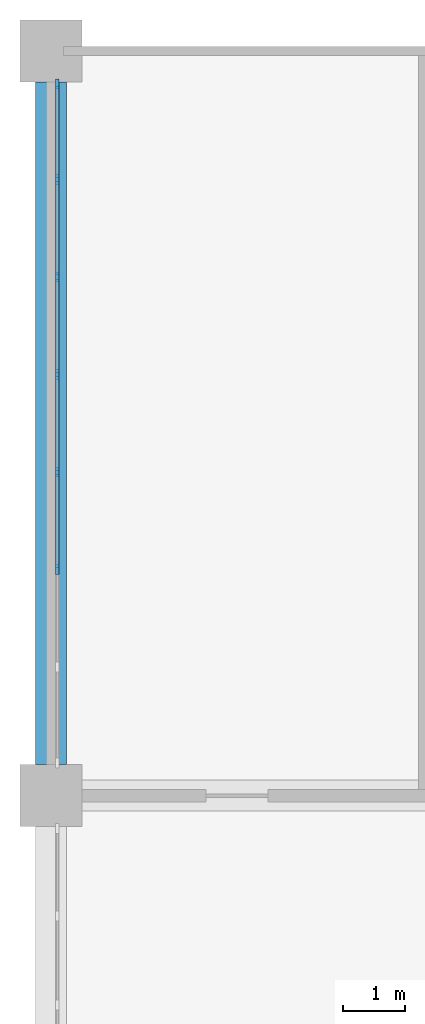
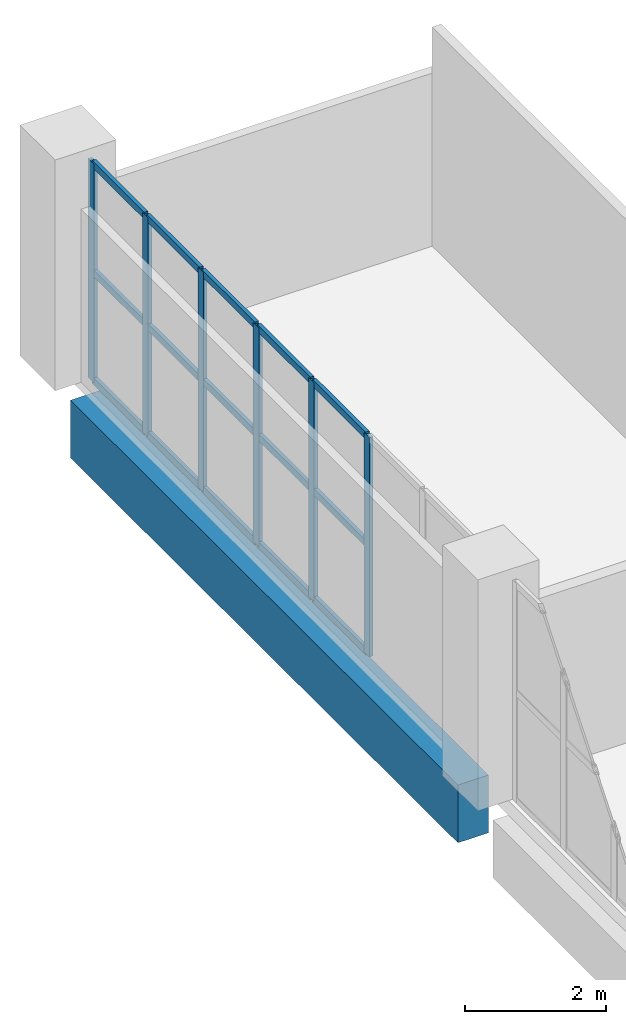
# One storey, part 130 of 156: 21 members, 1 beam, 1 element without a shape of its own.
"""IFC4 building model written with IfcOpenShell, lengths in metres."""

from ifc_helpers import new_model, si_unit, direction, frame, origin, origin_2d, place, context, subcontext, project, spatial, rectangle, extrude, material, layer, layer_set, material_profile, profile_set, type_object, element, aggregate, save


model = new_model("IFC4")

# Units and contexts
model_context = context("Model", 3, precision=1e-05, world=origin(), true_north=direction((0.0, 1.0)))
body_context = subcontext(model_context, "Body", "Model", "MODEL_VIEW")
ifc_project = project(units=[si_unit("LENGTHUNIT", "METRE"), si_unit("AREAUNIT", "SQUARE_METRE"), si_unit("VOLUMEUNIT", "CUBIC_METRE"), si_unit("PLANEANGLEUNIT", "RADIAN"), si_unit("MASSUNIT", "GRAM", prefix="KILO")], contexts=[model_context])

# Site, building, storey
site_placement = place(None, origin())
site = spatial("IfcSite", under=ifc_project, at=site_placement, CompositionType="ELEMENT")
building_placement = place(site_placement, origin())
building = spatial("IfcBuilding", under=site, at=building_placement, Name="Lilac Gate Convention Centre", CompositionType="ELEMENT")
storey_placement = place(building_placement, frame((0.0, 0.0, 17.0)))
storey = spatial("IfcBuildingStorey", under=building, at=storey_placement, Name="L03", CompositionType="ELEMENT", Elevation=17.0)

# Curtain wall, members
ifc_material_1 = material(Name="Aluminium framed double glazing", Category="aluminium")
ifc_layer = layer(ifc_material_1, 0.199951171875)
ifc_layer_set = layer_set([ifc_layer], Name="Aluminium framed double glazing")
curtain_wall_type = type_object("IfcCurtainWallType", Name="Unitised curtain wall 1500", PredefinedType="NOTDEFINED", material=ifc_layer_set)
curtain_wall_placement = place(storey_placement, origin())
curtain_wall = element("IfcCurtainWall", 1, at=curtain_wall_placement, inside=storey, type_object=curtain_wall_type, Name="Curtain wall GW L03 1", PredefinedType="NOTDEFINED")
ifc_material_2 = material(Name="Aluminium alloy 6063", Category="aluminium")
ifc_material_profile_1 = material_profile(ifc_material_2, rectangle(XDim=0.06005859375, YDim=0.159912109375, at=origin_2d()), Name="Curtain wall mullion 60 x 160")
ifc_profile_set_1 = profile_set([ifc_material_profile_1], Name="Aluminium alloy 6063")
member_type_1 = type_object("IfcMemberType", Name="Curtain wall mullion 60 x 160", PredefinedType="MULLION", material=ifc_profile_set_1)
member_1_placement = place(storey_placement, frame((6.10009765625, 245.469970703125, 0.0), z_axis=(0.0, 0.0, 1.0), x_axis=(1.0, 0.0, 0.0)))
member_1 = element("IfcMember", 2, at=member_1_placement, type_object=member_type_1, Name="CW mullion 1", PredefinedType="MULLION", context=body_context, shape_type="SweptSolid", body=[
    extrude(rectangle(XDim=0.06005859375, YDim=0.159912109375, at=origin_2d()), origin(), (0.0, 0.0, 1.0), 3.800048828125),
])
member_2_placement = place(storey_placement, frame((6.10009765625, 243.928466796875, 0.0), z_axis=(0.0, 0.0, 1.0), x_axis=(1.0, 0.0, 0.0)))
member_2 = element("IfcMember", 3, at=member_2_placement, type_object=member_type_1, Name="CW mullion 2", PredefinedType="MULLION", context=body_context, shape_type="SweptSolid", body=[
    extrude(rectangle(XDim=0.06005859375, YDim=0.159912109375, at=origin_2d()), origin(), (0.0, 0.0, 1.0), 3.800048828125),
])
member_3_placement = place(storey_placement, frame((6.10009765625, 242.357177734375, 0.0), z_axis=(0.0, 0.0, 1.0), x_axis=(1.0, 0.0, 0.0)))
member_3 = element("IfcMember", 4, at=member_3_placement, type_object=member_type_1, Name="CW mullion 3", PredefinedType="MULLION", context=body_context, shape_type="SweptSolid", body=[
    extrude(rectangle(XDim=0.06005859375, YDim=0.159912109375, at=origin_2d()), origin(), (0.0, 0.0, 1.0), 3.800048828125),
])
member_4_placement = place(storey_placement, frame((6.10009765625, 240.78564453125, 0.0), z_axis=(0.0, 0.0, 1.0), x_axis=(1.0, 0.0, 0.0)))
member_4 = element("IfcMember", 5, at=member_4_placement, type_object=member_type_1, Name="CW mullion 4", PredefinedType="MULLION", context=body_context, shape_type="SweptSolid", body=[
    extrude(rectangle(XDim=0.06005859375, YDim=0.159912109375, at=origin_2d()), origin(), (0.0, 0.0, 1.0), 3.800048828125),
])
member_5_placement = place(storey_placement, frame((6.10009765625, 239.21435546875, 0.0), z_axis=(0.0, 0.0, 1.0), x_axis=(1.0, 0.0, 0.0)))
member_5 = element("IfcMember", 6, at=member_5_placement, type_object=member_type_1, Name="CW mullion 5", PredefinedType="MULLION", context=body_context, shape_type="SweptSolid", body=[
    extrude(rectangle(XDim=0.06005859375, YDim=0.159912109375, at=origin_2d()), origin(), (0.0, 0.0, 1.0), 3.800048828125),
])
member_6_placement = place(storey_placement, frame((6.10009765625, 237.642822265625, 0.0), z_axis=(0.0, 0.0, 1.0), x_axis=(1.0, 0.0, 0.0)))
member_6 = element("IfcMember", 7, at=member_6_placement, type_object=member_type_1, Name="CW mullion 6", PredefinedType="MULLION", context=body_context, shape_type="SweptSolid", body=[
    extrude(rectangle(XDim=0.06005859375, YDim=0.159912109375, at=origin_2d()), origin(), (0.0, 0.0, 1.0), 3.800048828125),
])
ifc_material_profile_2 = material_profile(ifc_material_2, rectangle(XDim=0.06005859375, YDim=0.1201171875, at=origin_2d()), Name="Curtain wall transom 60 x 120")
ifc_profile_set_2 = profile_set([ifc_material_profile_2], Name="Aluminium alloy 6063")
member_type_2 = type_object("IfcMemberType", Name="Curtain wall transom 60 x 120", PredefinedType="USERDEFINED", material=ifc_profile_set_2)
member_7_placement = place(storey_placement, frame((6.10009765625, 245.43994140625, 0.030029296875), z_axis=(0.0, -1.0, 0.0), x_axis=(1.0, 0.0, 0.0)))
member_7 = element("IfcMember", 8, at=member_7_placement, type_object=member_type_2, Name="CW transom 1.1", ObjectType="TRANSOM", PredefinedType="USERDEFINED", context=body_context, shape_type="SweptSolid", body=[
    extrude(rectangle(XDim=0.06005859375, YDim=0.1201171875, at=origin_2d()), origin(), (0.0, 0.0, 1.0), 1.4814453125),
])
member_8_placement = place(storey_placement, frame((6.10009765625, 245.43994140625, 1.89990234375), z_axis=(0.0, -1.0, 0.0), x_axis=(1.0, 0.0, 0.0)))
member_8 = element("IfcMember", 9, at=member_8_placement, type_object=member_type_2, Name="CW transom 1.2", ObjectType="TRANSOM", PredefinedType="USERDEFINED", context=body_context, shape_type="SweptSolid", body=[
    extrude(rectangle(XDim=0.06005859375, YDim=0.1201171875, at=origin_2d()), origin(), (0.0, 0.0, 1.0), 1.4814453125),
])
member_9_placement = place(storey_placement, frame((6.10009765625, 245.43994140625, 3.77001953125), z_axis=(0.0, -1.0, 0.0), x_axis=(1.0, 0.0, 0.0)))
member_9 = element("IfcMember", 10, at=member_9_placement, type_object=member_type_2, Name="CW transom 1.3", ObjectType="TRANSOM", PredefinedType="USERDEFINED", context=body_context, shape_type="SweptSolid", body=[
    extrude(rectangle(XDim=0.06005859375, YDim=0.1201171875, at=origin_2d()), origin(), (0.0, 0.0, 1.0), 1.4814453125),
])
member_10_placement = place(storey_placement, frame((6.10009765625, 243.898681640625, 0.030029296875), z_axis=(0.0, -1.0, 0.0), x_axis=(1.0, 0.0, 0.0)))
member_10 = element("IfcMember", 11, at=member_10_placement, type_object=member_type_2, Name="CW transom 2.1", ObjectType="TRANSOM", PredefinedType="USERDEFINED", context=body_context, shape_type="SweptSolid", body=[
    extrude(rectangle(XDim=0.06005859375, YDim=0.1201171875, at=origin_2d()), origin(), (0.0, 0.0, 1.0), 1.511474609375),
])
member_11_placement = place(storey_placement, frame((6.10009765625, 243.898681640625, 1.89990234375), z_axis=(0.0, -1.0, 0.0), x_axis=(1.0, 0.0, 0.0)))
member_11 = element("IfcMember", 12, at=member_11_placement, type_object=member_type_2, Name="CW transom 2.2", ObjectType="TRANSOM", PredefinedType="USERDEFINED", context=body_context, shape_type="SweptSolid", body=[
    extrude(rectangle(XDim=0.06005859375, YDim=0.1201171875, at=origin_2d()), origin(), (0.0, 0.0, 1.0), 1.511474609375),
])
member_12_placement = place(storey_placement, frame((6.10009765625, 243.898681640625, 3.77001953125), z_axis=(0.0, -1.0, 0.0), x_axis=(1.0, 0.0, 0.0)))
member_12 = element("IfcMember", 13, at=member_12_placement, type_object=member_type_2, Name="CW transom 2.3", ObjectType="TRANSOM", PredefinedType="USERDEFINED", context=body_context, shape_type="SweptSolid", body=[
    extrude(rectangle(XDim=0.06005859375, YDim=0.1201171875, at=origin_2d()), origin(), (0.0, 0.0, 1.0), 1.511474609375),
])
member_13_placement = place(storey_placement, frame((6.10009765625, 242.3271484375, 0.030029296875), z_axis=(0.0, -1.0, 0.0), x_axis=(1.0, 0.0, 0.0)))
member_13 = element("IfcMember", 14, at=member_13_placement, type_object=member_type_2, Name="CW transom 3.1", ObjectType="TRANSOM", PredefinedType="USERDEFINED", context=body_context, shape_type="SweptSolid", body=[
    extrude(rectangle(XDim=0.06005859375, YDim=0.1201171875, at=origin_2d()), origin(), (0.0, 0.0, 1.0), 1.511474609375),
])
member_14_placement = place(storey_placement, frame((6.10009765625, 242.3271484375, 1.89990234375), z_axis=(0.0, -1.0, 0.0), x_axis=(1.0, 0.0, 0.0)))
member_14 = element("IfcMember", 15, at=member_14_placement, type_object=member_type_2, Name="CW transom 3.2", ObjectType="TRANSOM", PredefinedType="USERDEFINED", context=body_context, shape_type="SweptSolid", body=[
    extrude(rectangle(XDim=0.06005859375, YDim=0.1201171875, at=origin_2d()), origin(), (0.0, 0.0, 1.0), 1.511474609375),
])
member_15_placement = place(storey_placement, frame((6.10009765625, 242.3271484375, 3.77001953125), z_axis=(0.0, -1.0, 0.0), x_axis=(1.0, 0.0, 0.0)))
member_15 = element("IfcMember", 16, at=member_15_placement, type_object=member_type_2, Name="CW transom 3.3", ObjectType="TRANSOM", PredefinedType="USERDEFINED", context=body_context, shape_type="SweptSolid", body=[
    extrude(rectangle(XDim=0.06005859375, YDim=0.1201171875, at=origin_2d()), origin(), (0.0, 0.0, 1.0), 1.511474609375),
])
member_16_placement = place(storey_placement, frame((6.10009765625, 240.755615234375, 0.030029296875), z_axis=(0.0, -1.0, 0.0), x_axis=(1.0, 0.0, 0.0)))
member_16 = element("IfcMember", 17, at=member_16_placement, type_object=member_type_2, Name="CW transom 4.1", ObjectType="TRANSOM", PredefinedType="USERDEFINED", context=body_context, shape_type="SweptSolid", body=[
    extrude(rectangle(XDim=0.06005859375, YDim=0.1201171875, at=origin_2d()), origin(), (0.0, 0.0, 1.0), 1.51123046875),
])
member_17_placement = place(storey_placement, frame((6.10009765625, 240.755615234375, 1.89990234375), z_axis=(0.0, -1.0, 0.0), x_axis=(1.0, 0.0, 0.0)))
member_17 = element("IfcMember", 18, at=member_17_placement, type_object=member_type_2, Name="CW transom 4.2", ObjectType="TRANSOM", PredefinedType="USERDEFINED", context=body_context, shape_type="SweptSolid", body=[
    extrude(rectangle(XDim=0.06005859375, YDim=0.1201171875, at=origin_2d()), origin(), (0.0, 0.0, 1.0), 1.51123046875),
])
member_18_placement = place(storey_placement, frame((6.10009765625, 240.755615234375, 3.77001953125), z_axis=(0.0, -1.0, 0.0), x_axis=(1.0, 0.0, 0.0)))
member_18 = element("IfcMember", 19, at=member_18_placement, type_object=member_type_2, Name="CW transom 4.3", ObjectType="TRANSOM", PredefinedType="USERDEFINED", context=body_context, shape_type="SweptSolid", body=[
    extrude(rectangle(XDim=0.06005859375, YDim=0.1201171875, at=origin_2d()), origin(), (0.0, 0.0, 1.0), 1.51123046875),
])
member_19_placement = place(storey_placement, frame((6.10009765625, 239.184326171875, 0.030029296875), z_axis=(0.0, -1.0, 0.0), x_axis=(1.0, 0.0, 0.0)))
member_19 = element("IfcMember", 20, at=member_19_placement, type_object=member_type_2, Name="CW transom 5.1", ObjectType="TRANSOM", PredefinedType="USERDEFINED", context=body_context, shape_type="SweptSolid", body=[
    extrude(rectangle(XDim=0.06005859375, YDim=0.1201171875, at=origin_2d()), origin(), (0.0, 0.0, 1.0), 1.511474609375),
])
member_20_placement = place(storey_placement, frame((6.10009765625, 239.184326171875, 1.89990234375), z_axis=(0.0, -1.0, 0.0), x_axis=(1.0, 0.0, 0.0)))
member_20 = element("IfcMember", 21, at=member_20_placement, type_object=member_type_2, Name="CW transom 5.2", ObjectType="TRANSOM", PredefinedType="USERDEFINED", context=body_context, shape_type="SweptSolid", body=[
    extrude(rectangle(XDim=0.06005859375, YDim=0.1201171875, at=origin_2d()), origin(), (0.0, 0.0, 1.0), 1.511474609375),
])
member_21_placement = place(storey_placement, frame((6.10009765625, 239.184326171875, 3.77001953125), z_axis=(0.0, -1.0, 0.0), x_axis=(1.0, 0.0, 0.0)))
member_21 = element("IfcMember", 22, at=member_21_placement, type_object=member_type_2, Name="CW transom 5.3", ObjectType="TRANSOM", PredefinedType="USERDEFINED", context=body_context, shape_type="SweptSolid", body=[
    extrude(rectangle(XDim=0.06005859375, YDim=0.1201171875, at=origin_2d()), origin(), (0.0, 0.0, 1.0), 1.511474609375),
])
aggregate(curtain_wall, [member_1, member_2, member_3, member_4, member_5, member_6, member_7, member_8, member_9, member_10, member_11, member_12, member_13, member_14, member_15, member_16, member_17, member_18, member_19, member_20, member_21])

# Beam
ifc_material_3 = material(Name="Concrete C40", Category="concrete")
ifc_material_profile_3 = material_profile(ifc_material_3, rectangle(XDim=0.5, YDim=1.0, at=origin_2d()), Name="RC 500x1000")
ifc_profile_set_3 = profile_set([ifc_material_profile_3], Name="Concrete C40")
beam_type = type_object("IfcBeamType", Name="Primary beam 500x1000 C40", PredefinedType="BEAM", material=ifc_profile_set_3)
beam_placement = place(storey_placement, frame((6.0, 234.5, -0.75), z_axis=(0.0, 1.0, 0.0), x_axis=(-1.0, 0.0, 0.0)))
element("IfcBeam", 23, at=beam_placement, inside=storey, type_object=beam_type, Name="RB1 L03 1/T-1/U", PredefinedType="BEAM", context=body_context, shape_type="SweptSolid", body=[
    extrude(rectangle(XDim=0.5, YDim=1.0, at=origin_2d()), origin(), (0.0, 0.0, 1.0), 11.0),
])

save(model, "model.ifc")
